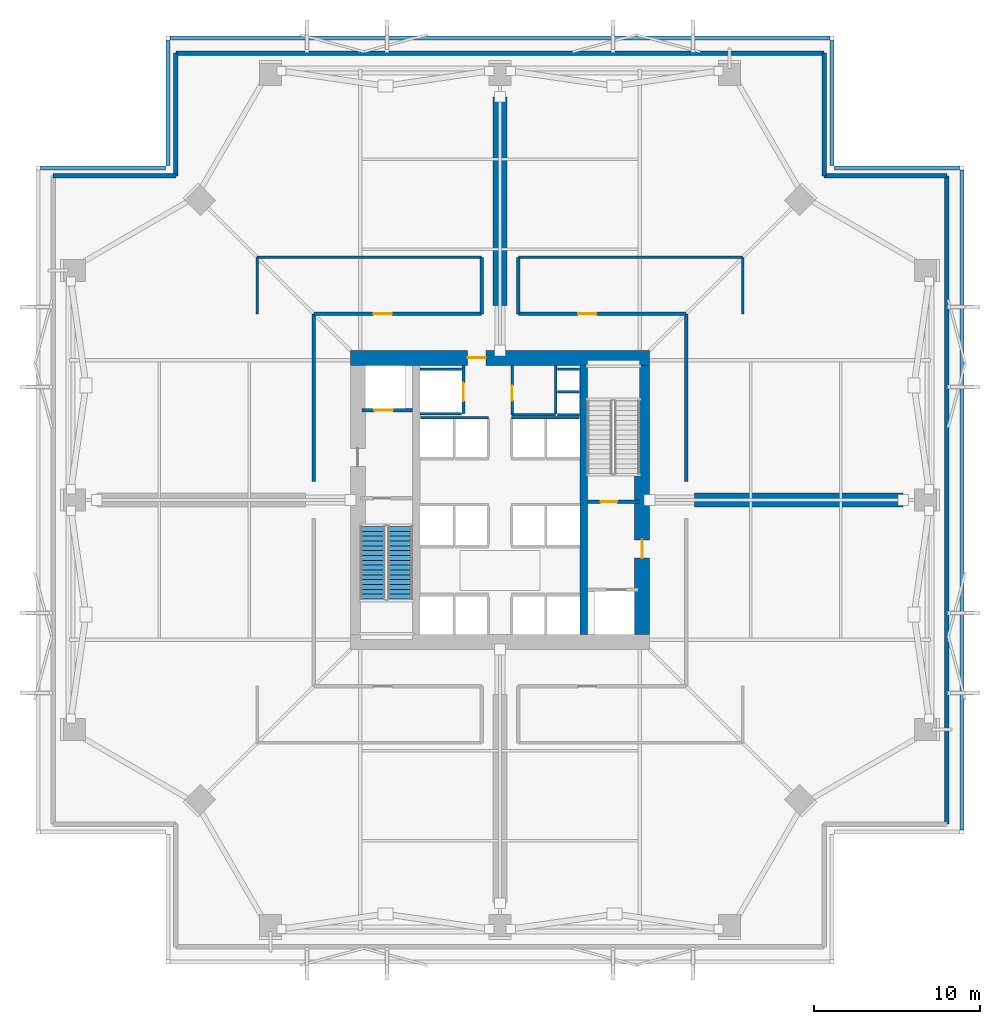
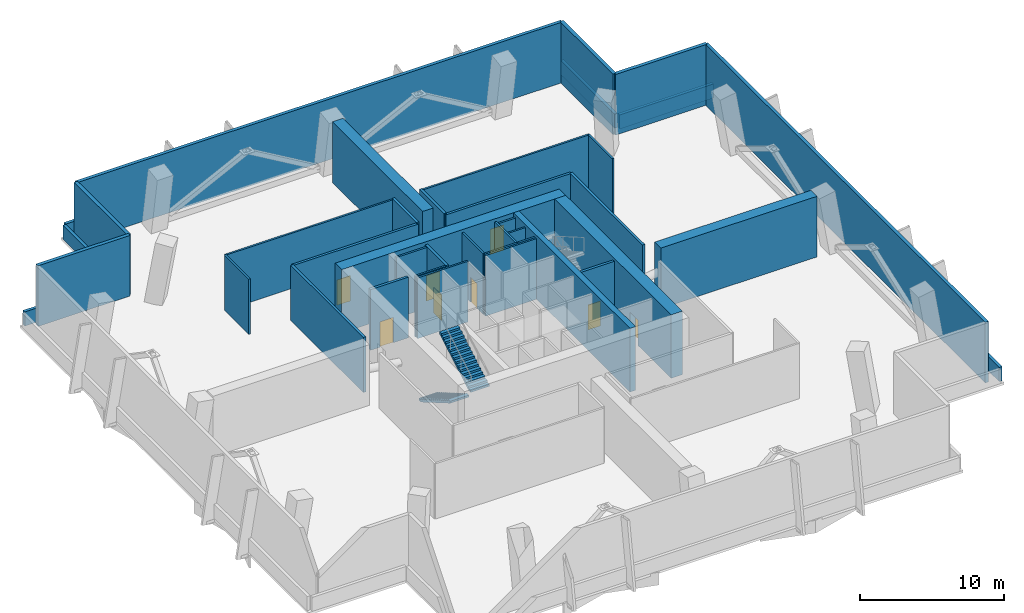
# One storey, part 4 of 6: 40 walls, 8 doors, 2 stair flights, 8 openings, 1 element without a shape of its own.
"""IFC4 building model written with IfcOpenShell, lengths in metres."""

import ifcopenshell
import ifcopenshell.guid

model = None  # the IFC model being written
_history = None  # IfcOwnerHistory: only IFC2X3 demands one
_inside = {}  # id of a spatial element -> (the spatial element, [elements in it])
_under = {}  # id of a project, library or spatial element -> (it, [spatial elements below it])
_declared = {}  # id of a project -> (the project, [libraries it declares])
_typed = {}  # id of a type object -> (the type object, [elements of that type])
_made_of = {}  # id of a material, layer set ... -> (it, [elements and type objects made of it])


def new_model(schema):
    """Start an empty IFC model of exactly this schema.

    Asked for "IFC4X3", IfcOpenShell would pick the latest addendum, in which some entities
    have other attributes; the version numbers below select the first issue.
    IFC2X3 requires an IfcOwnerHistory on every rooted entity: one is made here for all.
    """
    global model, _history
    if schema == "IFC4X3":
        model = ifcopenshell.file(schema_version=(4, 3, 0, 0))
    else:
        model = ifcopenshell.file(schema=schema)
    _inside.clear()
    _under.clear()
    _declared.clear()
    _typed.clear()
    _made_of.clear()
    _history = None
    if model.schema == "IFC2X3":
        org = make("IfcOrganization", Name="unknown")
        user = make(
            "IfcPersonAndOrganization",
            ThePerson=make("IfcPerson", FamilyName="unknown"),
            TheOrganization=org,
        )
        app = make(
            "IfcApplication",
            ApplicationDeveloper=org,
            Version="unknown",
            ApplicationFullName="unknown",
            ApplicationIdentifier="unknown",
        )
        _history = make(
            "IfcOwnerHistory",
            OwningUser=user,
            OwningApplication=app,
            ChangeAction="ADDED",
            CreationDate=0,
        )
    return model


def make(cls, **values):
    """One entity of the class cls with the attributes given. An attribute that is None is left unset."""
    return model.create_entity(
        cls, **{name: value for name, value in values.items() if value is not None}
    )


def rooted(cls, **values):
    """An entity with a GlobalId (a new one), such as an element, a storey or a relation."""
    return make(cls, GlobalId=ifcopenshell.guid.new(), OwnerHistory=_history, **values)


def si_unit(unit_type, name, prefix=None):
    """IfcSIUnit, for example si_unit("LENGTHUNIT", "METRE", prefix="MILLI")."""
    return make("IfcSIUnit", UnitType=unit_type, Prefix=prefix, Name=name)


def assignment(units):
    """IfcUnitAssignment: the units of a project."""
    return None if units is None else make("IfcUnitAssignment", Units=units)


def point(xyz):
    """IfcCartesianPoint."""
    return None if xyz is None else make("IfcCartesianPoint", Coordinates=xyz)


def direction(xyz):
    """IfcDirection."""
    return None if xyz is None else make("IfcDirection", DirectionRatios=xyz)


def frame(location, z_axis=None, x_axis=None):
    """IfcAxis2Placement3D, a coordinate frame: its origin and axes. An axis left out is left unset."""
    return make(
        "IfcAxis2Placement3D",
        Location=point(location),
        Axis=direction(z_axis),
        RefDirection=direction(x_axis),
    )


def frame_2d(location, x_axis=None):
    """IfcAxis2Placement2D, a coordinate frame in the plane: its origin and x axis."""
    return make(
        "IfcAxis2Placement2D", Location=point(location), RefDirection=direction(x_axis)
    )


def origin():
    """The frame at (0, 0, 0) with its axes left unset."""
    return frame((0.0, 0.0, 0.0))


def place(relative_to, where):
    """IfcLocalPlacement: puts the frame where relative to a parent placement (None: the world)."""
    return make(
        "IfcLocalPlacement", PlacementRelTo=relative_to, RelativePlacement=where
    )


def context(
    kind, dimensions, precision=None, world=None, true_north=None, identifier=None
):
    """IfcGeometricRepresentationContext, for example the 3D "Model" context."""
    return make(
        "IfcGeometricRepresentationContext",
        ContextIdentifier=identifier,
        ContextType=kind,
        CoordinateSpaceDimension=dimensions,
        Precision=precision,
        WorldCoordinateSystem=world,
        TrueNorth=true_north,
    )


def subcontext(parent, identifier, kind, view, scale=None):
    """IfcGeometricRepresentationSubContext, for example "Body" below "Model"."""
    return make(
        "IfcGeometricRepresentationSubContext",
        ContextIdentifier=identifier,
        ContextType=kind,
        ParentContext=parent,
        TargetScale=scale,
        TargetView=view,
    )


def project(units=None, contexts=None):
    """IfcProject with its units and contexts."""
    return rooted(
        "IfcProject",
        Name="project",
        RepresentationContexts=contexts,
        UnitsInContext=assignment(units),
    )


def spatial(cls, under=None, at=None, **own):
    """A site, building, storey or space (cls), placed at a placement, below another one or the project."""
    s = rooted(cls, ObjectPlacement=at, **own)
    if under is not None:
        _under.setdefault(under.id(), (under, []))[1].append(s)
    return s


def polyline(points):
    """IfcPolyline through the points."""
    return make("IfcPolyline", Points=[point(p) for p in points])


def profile(cls, at=None, kind="AREA", **sizes):
    """A parametric profile (cls). Its sizes go by their IFC names, for example OverallWidth=200.0."""
    return make(cls, ProfileType=kind, Position=at, **sizes)


def rectangle(**sizes):
    """IfcRectangleProfileDef."""
    return profile("IfcRectangleProfileDef", **sizes)


def outline(outer, holes=None, kind="AREA"):
    """IfcArbitraryClosedProfileDef: a profile drawn as a closed curve; with holes, ...WithVoids."""
    if holes is None:
        return make("IfcArbitraryClosedProfileDef", ProfileType=kind, OuterCurve=outer)
    return make(
        "IfcArbitraryProfileDefWithVoids",
        ProfileType=kind,
        OuterCurve=outer,
        InnerCurves=holes,
    )


def extrude(swept, where, along, depth):
    """IfcExtrudedAreaSolid: the profile swept, set in the frame where, extruded along a direction by depth."""
    return make(
        "IfcExtrudedAreaSolid",
        SweptArea=swept,
        Position=where,
        ExtrudedDirection=direction(along),
        Depth=depth,
    )


def shape(context_of_items, identifier, shape_type, items):
    """IfcShapeRepresentation: the items that make up one representation, for example the "Body"."""
    return make(
        "IfcShapeRepresentation",
        ContextOfItems=context_of_items,
        RepresentationIdentifier=identifier,
        RepresentationType=shape_type,
        Items=items,
    )


def material(Name=None, Category=None):
    """IfcMaterial."""
    return make("IfcMaterial", Name=Name, Category=Category)


def layer(
    of_material, thickness, ventilated=None, Name=None, Category=None, Priority=None
):
    """IfcMaterialLayer: one layer of a wall or slab, of a material (None: an air gap)."""
    return make(
        "IfcMaterialLayer",
        Material=of_material,
        LayerThickness=thickness,
        IsVentilated=ventilated,
        Name=Name,
        Category=Category,
        Priority=Priority,
    )


def layer_set(layers, Name=None):
    """IfcMaterialLayerSet."""
    return make("IfcMaterialLayerSet", MaterialLayers=layers, LayerSetName=Name)


def made_of(thing, what):
    """Note that an element or type object is made of a material, layer set ...; save() writes the relation."""
    if what is not None:
        _made_of.setdefault(what.id(), (what, []))[1].append(thing)
    return thing


def type_object(cls, material=None, **own):
    """A type object (cls), such as IfcWallType, which elements share."""
    return made_of(rooted(cls, **own), material)


def element(
    cls,
    number,
    at=None,
    inside=None,
    cuts=None,
    type_object=None,
    material=None,
    context=None,
    identifier="Body",
    shape_type=None,
    held_by="IfcProductDefinitionShape",
    body=None,
    shapes=None,
    **own,
):
    """One element of the class cls, such as IfcWall. Its Tag is "e" and its number.

    at: its placement. inside: the storey or other place that contains it. cuts: it is an
    opening in that element (IfcRelVoidsElement). A single representation is given by context,
    identifier, shape_type and body (its items); several are given by shapes. held_by: the class
    of the entity that holds the representations. save() writes the other relations.
    """
    e = rooted(cls, Tag="e%d" % number, ObjectPlacement=at, **own)
    if body is not None:
        shapes = [shape(context, identifier, shape_type, body)]
    if shapes is not None:
        e.Representation = make(held_by, Representations=shapes)
    if inside is not None:
        _inside.setdefault(inside.id(), (inside, []))[1].append(e)
    if cuts is not None:
        rooted(
            "IfcRelVoidsElement", RelatingBuildingElement=cuts, RelatedOpeningElement=e
        )
    if type_object is not None:
        _typed.setdefault(type_object.id(), (type_object, []))[1].append(e)
    return made_of(e, material)


def fill(opening, filler):
    """IfcRelFillsElement: the door or window that sits in an opening."""
    return rooted(
        "IfcRelFillsElement",
        RelatingOpeningElement=opening,
        RelatedBuildingElement=filler,
    )


def aggregate(whole, parts):
    """IfcRelAggregates: a whole, such as a stair, and the parts it consists of."""
    return rooted("IfcRelAggregates", RelatingObject=whole, RelatedObjects=parts)


def save(model, path):
    """Write the relations noted so far, then the file.

    IfcRelAggregates (storeys below a building ...), IfcRelContainedInSpatialStructure (elements
    in a storey), IfcRelDefinesByType, IfcRelAssociatesMaterial and IfcRelDeclares: one each for
    every whole, place, type object, material and project.
    """
    for whole, parts in _under.values():
        aggregate(whole, parts)
    for where, things in _inside.values():
        rooted(
            "IfcRelContainedInSpatialStructure",
            RelatedElements=things,
            RelatingStructure=where,
        )
    for kind, things in _typed.values():
        rooted("IfcRelDefinesByType", RelatedObjects=things, RelatingType=kind)
    for what, things in _made_of.values():
        rooted("IfcRelAssociatesMaterial", RelatedObjects=things, RelatingMaterial=what)
    for by, libraries in _declared.values():
        rooted("IfcRelDeclares", RelatingContext=by, RelatedDefinitions=libraries)
    model.write(path)


model = new_model("IFC4")

# Units and contexts
model_context = context("Model", 3, precision=1e-05, world=origin(), true_north=direction((0.0, 1.0)))
body_context = subcontext(model_context, "Body", "Model", "MODEL_VIEW")
ifc_project = project(units=[si_unit("LENGTHUNIT", "METRE"), si_unit("AREAUNIT", "SQUARE_METRE"), si_unit("VOLUMEUNIT", "CUBIC_METRE"), si_unit("PLANEANGLEUNIT", "RADIAN"), si_unit("MASSUNIT", "GRAM", prefix="KILO")], contexts=[model_context])

# Site, building, storey
site_placement = place(None, origin())
site = spatial("IfcSite", under=ifc_project, at=site_placement, CompositionType="ELEMENT")
building_placement = place(site_placement, origin())
building = spatial("IfcBuilding", under=site, at=building_placement, Name="Belovzor Exchange Tower", CompositionType="ELEMENT")
storey_placement = place(building_placement, frame((0.0, 0.0, 108.0)))
storey = spatial("IfcBuildingStorey", under=building, at=storey_placement, Name="L26", CompositionType="ELEMENT", Elevation=108.0)

# Wall, opening, door
ifc_material_1 = material(Name="Fire-Rated Gypsum Block and Mineral Wool", Category="gypsum")
ifc_layer_1 = layer(ifc_material_1, 0.14990234375)
ifc_layer_set_1 = layer_set([ifc_layer_1], Name="Fire-Rated Gypsum Block and Mineral Wool")
wall_type_1 = type_object("IfcWallType", Name="Fire-Rated Gypsum Block Corridor Wall 150", PredefinedType="PARTITIONING", material=ifc_layer_set_1)
wall_1_placement = place(storey_placement, frame((29.52490234375, 33.925048828125, 0.0), z_axis=(0.0, 0.0, 1.0), x_axis=(0.0, 1.0, 0.0)))
wall_1 = element("IfcWall", 1, at=wall_1_placement, inside=storey, type_object=wall_type_1, Name="W-P150 Partition Wall W-CRV-L26-W", PredefinedType="PARTITIONING", context=body_context, shape_type="SweptSolid", body=[
    extrude(rectangle(XDim=2.974853515625, YDim=0.14990234375, at=frame_2d((1.4873046875, 0.0))), origin(), (0.0, 0.0, 1.0), 5.14990234375),
])
opening_1_placement = place(wall_1_placement, frame((0.85009765625, 0.0, 0.0)))
opening_1 = element("IfcOpeningElement", 2, at=opening_1_placement, cuts=wall_1, Name="Opening D-FD60-090", PredefinedType="OPENING", context=body_context, shape_type="SweptSolid", body=[
    extrude(rectangle(XDim=0.89990234375, YDim=2.10009765625, at=frame_2d((0.449951171875, 1.050048828125))), frame((0.0, 0.0849609375, 0.0), z_axis=(0.0, -1.0, 0.0), x_axis=(1.0, 0.0, 0.0)), (0.0, 0.0, 1.0), 0.169921875),
])
ifc_material_2 = material(Name="Acoustic Timber Fire Leaf", Category="wood")
door_type_1 = type_object("IfcDoorType", Name="Core Service & Restroom Fire Door 900x2100", OperationType="NOTDEFINED", PredefinedType="DOOR", material=ifc_material_2)
door_1_placement = place(opening_1_placement, origin())
door_1 = element("IfcDoor", 3, at=door_1_placement, inside=storey, type_object=door_type_1, Name="D-FD60-090 Core Service & Restroom Fire Door 900x2100", OperationType="SINGLE_SWING_LEFT", OverallHeight=2.10009765625, OverallWidth=0.89990234375, PredefinedType="DOOR", context=body_context, shape_type="SweptSolid", body=[
    extrude(rectangle(XDim=0.89990234375, YDim=2.10009765625, at=frame_2d((0.449951171875, 1.050048828125))), frame((0.0, 0.02490234375, 0.0), z_axis=(0.0, -1.0, 0.0), x_axis=(1.0, 0.0, 0.0)), (0.0, 0.0, 1.0), 0.050048828125),
])
fill(opening_1, door_1)

# Walls
wall_2_placement = place(storey_placement, frame((29.52490234375, 33.925048828125, 0.0), z_axis=(0.0, 0.0, 1.0), x_axis=(1.0, 0.0, 0.0)))
element("IfcWall", 4, at=wall_2_placement, inside=storey, type_object=wall_type_1, Name="W-P150 Partition Wall W-CRV-L26-S", PredefinedType="PARTITIONING", context=body_context, shape_type="SweptSolid", body=[
    extrude(rectangle(XDim=2.625, YDim=0.14990234375, at=frame_2d((1.3125, 0.0))), origin(), (0.0, 0.0, 1.0), 5.14990234375),
])
wall_3_placement = place(storey_placement, frame((14.199951171875, 40.0, 0.0), z_axis=(0.0, 0.0, 1.0), x_axis=(0.0, 1.0, 0.0)))
element("IfcWall", 5, at=wall_3_placement, inside=storey, type_object=wall_type_1, Name="W-P150 Partition Wall W-L26-Q3W", PredefinedType="PARTITIONING", context=body_context, shape_type="SweptSolid", body=[
    extrude(rectangle(XDim=3.39990234375, YDim=0.14990234375, at=frame_2d((1.699951171875, 0.0))), origin(), (0.0, 0.0, 1.0), 4.68505859375),
])
for number, where, z_axis, x_axis, name in (
    (6, (14.199951171875, 43.39990234375, 0.0), (0.0, 0.0, 1.0), (1.0, 0.0, 0.0), "W-P150 Partition Wall W-L26-Q3N"),
    (7, (29.89990234375, 43.39990234375, 0.0), (0.0, 0.0, 1.0), (1.0, 0.0, 0.0), "W-P150 Partition Wall W-L26-Q4N"),
):
    element("IfcWall", number, at=place(storey_placement, frame(where, z_axis=z_axis, x_axis=x_axis)), inside=storey, type_object=wall_type_1, Name=name, PredefinedType="PARTITIONING", context=body_context, shape_type="SweptSolid", body=[
        extrude(rectangle(XDim=13.5, YDim=0.14990234375, at=frame_2d((6.75, 0.0))), origin(), (0.0, 0.0, 1.0), 4.68505859375),
    ])
wall_4_placement = place(storey_placement, frame((43.39990234375, 40.0, 0.0), z_axis=(0.0, 0.0, 1.0), x_axis=(0.0, 1.0, 0.0)))
element("IfcWall", 8, at=wall_4_placement, inside=storey, type_object=wall_type_1, Name="W-P150 Partition Wall W-L26-Q4E", PredefinedType="PARTITIONING", context=body_context, shape_type="SweptSolid", body=[
    extrude(rectangle(XDim=3.39990234375, YDim=0.14990234375, at=frame_2d((1.699951171875, 0.0))), origin(), (0.0, 0.0, 1.0), 4.68505859375),
])
ifc_material_3 = material(Name="Precast concrete C40/50", Category="concrete")
ifc_layer_2 = layer(ifc_material_3, 0.280029296875)
ifc_layer_set_2 = layer_set([ifc_layer_2], Name="Precast concrete C40/50")
wall_type_2 = type_object("IfcWallType", Name="Precast Concrete Notched Corner Frame Wall 280", PredefinedType="SOLIDWALL", material=ifc_layer_set_2)
wall_5_placement = place(storey_placement, frame((1.929931640625, 48.300048828125, 0.0), z_axis=(0.0, 0.0, 1.0), x_axis=(1.0, 0.0, 0.0)))
element("IfcWall", 9, at=wall_5_placement, inside=storey, type_object=wall_type_2, Name="W-CRN280 Precast Concrete Notched Corner Frame Wall 280 L26", PredefinedType="SOLIDWALL", context=body_context, shape_type="SweptSolid", body=[
    extrude(rectangle(XDim=7.3701171875, YDim=0.280029296875, at=frame_2d((3.68505859375, 0.0))), origin(), (0.0, 0.0, 1.0), 5.14990234375),
])
for number, where, z_axis, x_axis, name in (
    (10, (9.300048828125, 48.300048828125, 0.0), (0.0, 0.0, 1.0), (0.0, 1.0, 0.0), "W-CRN280 Precast Concrete Notched Corner Frame Wall 280 L26"),
    (11, (48.300048828125, 55.669921875, 0.0), (0.0, 0.0, 1.0), (0.0, -1.0, 0.0), "W-CRN280 Precast Concrete Notched Corner Frame Wall 280 L26"),
    (12, (48.300048828125, 48.300048828125, 0.0), (0.0, 0.0, 1.0), (1.0, 0.0, 0.0), "W-CRN280 Precast Concrete Notched Corner Frame Wall 280 L26"),
):
    element("IfcWall", number, at=place(storey_placement, frame(where, z_axis=z_axis, x_axis=x_axis)), inside=storey, type_object=wall_type_2, Name=name, PredefinedType="SOLIDWALL", context=body_context, shape_type="SweptSolid", body=[
        extrude(rectangle(XDim=7.369873046875, YDim=0.280029296875, at=frame_2d((3.68505859375, 0.0))), origin(), (0.0, 0.0, 1.0), 5.14990234375),
    ])
ifc_material_4 = material(Name="Precast concrete C40/50", Category="concrete")
ifc_layer_3 = layer(ifc_material_4, 0.260009765625)
ifc_layer_set_3 = layer_set([ifc_layer_3], Name="Precast concrete C40/50")
wall_type_3 = type_object("IfcWallType", Name="Precast Concrete Perimeter Loggia Frame Wall 260", PredefinedType="SOLIDWALL", material=ifc_layer_set_3)
for number, where, z_axis, x_axis, name in (
    (13, (9.300048828125, 55.669921875, 0.0), (0.0, 0.0, 1.0), (1.0, 0.0, 0.0), "W-EXT260 Precast Concrete Perimeter Loggia Frame Wall 260 L26"),
    (14, (55.669921875, 48.300048828125, 0.0), (0.0, 0.0, 1.0), (0.0, -1.0, 0.0), "W-EXT260 Precast Concrete Perimeter Loggia Frame Wall 260 L26"),
):
    element("IfcWall", number, at=place(storey_placement, frame(where, z_axis=z_axis, x_axis=x_axis)), inside=storey, type_object=wall_type_3, Name=name, PredefinedType="SOLIDWALL", context=body_context, shape_type="SweptSolid", body=[
        extrude(rectangle(XDim=39.0, YDim=0.260009765625, at=frame_2d((19.5, 0.0))), origin(), (0.0, 0.0, 1.0), 5.14990234375),
    ])
ifc_material_5 = material(Name="Precast concrete C40/50", Category="concrete")
ifc_layer_4 = layer(ifc_material_5, 0.239990234375)
ifc_layer_set_4 = layer_set([ifc_layer_4], Name="Precast concrete C40/50")
wall_type_4 = type_object("IfcWallType", Name="Precast Stone Setback Roof Parapet Wall 240", PredefinedType="PARAPET", material=ifc_layer_set_4)
wall_6_placement = place(storey_placement, frame((56.580078125, 8.955078125, 0.0), z_axis=(0.0, 0.0, 1.0), x_axis=(0.0, 1.0, 0.0)))
element("IfcWall", 15, at=wall_6_placement, inside=storey, type_object=wall_type_4, Name="W-PAR240 Precast Stone Setback Roof Parapet Wall 240 L26", PredefinedType="PARAPET", context=body_context, shape_type="SweptSolid", body=[
    extrude(rectangle(XDim=39.68994140625, YDim=0.239990234375, at=frame_2d((19.844970703125, 0.0))), origin(), (0.0, 0.0, 1.0), 1.199951171875),
])
for number, where, z_axis, x_axis, name in (
    (16, (56.445068359375, 48.780029296875, 0.0), (0.0, 0.0, 1.0), (-1.0, 0.0, 0.0), "W-PAR240 Precast Stone Setback Roof Parapet Wall 240 L26"),
    (17, (48.780029296875, 48.9150390625, 0.0), (0.0, 0.0, 1.0), (0.0, 1.0, 0.0), "W-PAR240 Precast Stone Setback Roof Parapet Wall 240 L26"),
):
    element("IfcWall", number, at=place(storey_placement, frame(where, z_axis=z_axis, x_axis=x_axis)), inside=storey, type_object=wall_type_4, Name=name, PredefinedType="PARAPET", context=body_context, shape_type="SweptSolid", body=[
        extrude(rectangle(XDim=7.530029296875, YDim=0.239990234375, at=frame_2d((3.76513671875, 0.0))), origin(), (0.0, 0.0, 1.0), 1.199951171875),
    ])
wall_7_placement = place(storey_placement, frame((48.64501953125, 56.580078125, 0.0), z_axis=(0.0, 0.0, 1.0), x_axis=(-1.0, 0.0, 0.0)))
element("IfcWall", 18, at=wall_7_placement, inside=storey, type_object=wall_type_4, Name="W-PAR240 Precast Stone Setback Roof Parapet Wall 240 L26", PredefinedType="PARAPET", context=body_context, shape_type="SweptSolid", body=[
    extrude(rectangle(XDim=39.68994140625, YDim=0.239990234375, at=frame_2d((19.844970703125, 0.0))), origin(), (0.0, 0.0, 1.0), 1.199951171875),
])
for number, where, z_axis, x_axis, name in (
    (19, (8.820068359375, 56.445068359375, 0.0), (0.0, 0.0, 1.0), (0.0, -1.0, 0.0), "W-PAR240 Precast Stone Setback Roof Parapet Wall 240 L26"),
    (20, (8.68505859375, 48.780029296875, 0.0), (0.0, 0.0, 1.0), (-1.0, 0.0, 0.0), "W-PAR240 Precast Stone Setback Roof Parapet Wall 240 L26"),
):
    element("IfcWall", number, at=place(storey_placement, frame(where, z_axis=z_axis, x_axis=x_axis)), inside=storey, type_object=wall_type_4, Name=name, PredefinedType="PARAPET", context=body_context, shape_type="SweptSolid", body=[
        extrude(rectangle(XDim=7.530029296875, YDim=0.239990234375, at=frame_2d((3.76513671875, 0.0))), origin(), (0.0, 0.0, 1.0), 1.199951171875),
    ])

# Wall, opening, door
ifc_material_6 = material(Name="Concrete C40/50", Category="concrete")
ifc_layer_5 = layer(ifc_material_6, 0.199951171875)
ifc_layer_set_5 = layer_set([ifc_layer_5], Name="Concrete C40/50")
wall_type_5 = type_object("IfcWallType", Name="Reinforced Concrete Compartment Wall 200", PredefinedType="PARTITIONING", material=ifc_layer_set_5)
wall_8_placement = place(storey_placement, frame((17.60009765625, 40.0, 0.0), z_axis=(0.0, 0.0, 1.0), x_axis=(1.0, 0.0, 0.0)))
wall_8 = element("IfcWall", 21, at=wall_8_placement, inside=storey, type_object=wall_type_5, Name="W-C200 Partition Wall W-L26-PCN", PredefinedType="PARTITIONING", context=body_context, shape_type="SweptSolid", body=[
    extrude(rectangle(XDim=10.099853515625, YDim=0.199951171875, at=frame_2d((5.0498046875, 0.0))), origin(), (0.0, 0.0, 1.0), 4.68505859375),
])
opening_2_placement = place(wall_8_placement, frame((3.60009765625, 0.0, 0.0)))
opening_2 = element("IfcOpeningElement", 22, at=opening_2_placement, cuts=wall_8, Name="Opening D-FD90-110", PredefinedType="OPENING", context=body_context, shape_type="SweptSolid", body=[
    extrude(rectangle(XDim=1.10009765625, YDim=2.14990234375, at=frame_2d((0.550048828125, 1.074951171875))), frame((0.0, 0.10986328125, 0.0), z_axis=(0.0, -1.0, 0.0), x_axis=(1.0, 0.0, 0.0)), (0.0, 0.0, 1.0), 0.219970703125),
])
ifc_material_7 = material(Name="Fire-Rated Galvanised Steel Leaf", Category="steel")
door_type_2 = type_object("IfcDoorType", Name="Protected Escape Vestibule Fire Door 1100x2150", OperationType="NOTDEFINED", PredefinedType="DOOR", material=ifc_material_7)
door_2_placement = place(opening_2_placement, origin())
door_2 = element("IfcDoor", 23, at=door_2_placement, inside=storey, type_object=door_type_2, Name="D-FD90-110 Protected Escape Vestibule Fire Door 1100x2150", OperationType="SINGLE_SWING_LEFT", OverallHeight=2.14990234375, OverallWidth=1.10009765625, PredefinedType="DOOR", context=body_context, shape_type="SweptSolid", body=[
    extrude(rectangle(XDim=1.10009765625, YDim=2.14990234375, at=frame_2d((0.550048828125, 1.074951171875))), frame((0.0, 0.02490234375, 0.0), z_axis=(0.0, -1.0, 0.0), x_axis=(1.0, 0.0, 0.0)), (0.0, 0.0, 1.0), 0.050048828125),
])
fill(opening_2, door_2)

wall_9_placement = place(storey_placement, frame((29.89990234375, 40.0, 0.0), z_axis=(0.0, 0.0, 1.0), x_axis=(1.0, 0.0, 0.0)))
wall_9 = element("IfcWall", 24, at=wall_9_placement, inside=storey, type_object=wall_type_5, Name="W-C200 Partition Wall W-L26-PCN2", PredefinedType="PARTITIONING", context=body_context, shape_type="SweptSolid", body=[
    extrude(rectangle(XDim=10.10009765625, YDim=0.199951171875, at=frame_2d((5.050048828125, 0.0))), origin(), (0.0, 0.0, 1.0), 4.68505859375),
])
opening_3_placement = place(wall_9_placement, frame((3.60009765625, 0.0, 0.0)))
opening_3 = element("IfcOpeningElement", 25, at=opening_3_placement, cuts=wall_9, Name="Opening D-FD90-110", PredefinedType="OPENING", context=body_context, shape_type="SweptSolid", body=[
    extrude(rectangle(XDim=1.10009765625, YDim=2.14990234375, at=frame_2d((0.550048828125, 1.074951171875))), frame((0.0, 0.10986328125, 0.0), z_axis=(0.0, -1.0, 0.0), x_axis=(1.0, 0.0, 0.0)), (0.0, 0.0, 1.0), 0.219970703125),
])
door_3_placement = place(opening_3_placement, origin())
door_3 = element("IfcDoor", 26, at=door_3_placement, inside=storey, type_object=door_type_2, Name="D-FD90-110 Protected Escape Vestibule Fire Door 1100x2150", OperationType="SINGLE_SWING_RIGHT", OverallHeight=2.14990234375, OverallWidth=1.10009765625, PredefinedType="DOOR", context=body_context, shape_type="SweptSolid", body=[
    extrude(rectangle(XDim=1.10009765625, YDim=2.14990234375, at=frame_2d((0.550048828125, 1.074951171875))), frame((0.0, 0.02490234375, 0.0), z_axis=(0.0, -1.0, 0.0), x_axis=(1.0, 0.0, 0.0)), (0.0, 0.0, 1.0), 0.050048828125),
])
fill(opening_3, door_3)

# Walls
for number, where, z_axis, x_axis, name in (
    (27, (17.60009765625, 29.89990234375, 0.0), (0.0, 0.0, 1.0), (0.0, 1.0, 0.0), "W-C200 Partition Wall W-L26-PCW2"),
    (28, (40.0, 29.89990234375, 0.0), (0.0, 0.0, 1.0), (0.0, 1.0, 0.0), "W-C200 Partition Wall W-L26-PCE2"),
):
    element("IfcWall", number, at=place(storey_placement, frame(where, z_axis=z_axis, x_axis=x_axis)), inside=storey, type_object=wall_type_5, Name=name, PredefinedType="PARTITIONING", context=body_context, shape_type="SweptSolid", body=[
        extrude(rectangle(XDim=10.10009765625, YDim=0.199951171875, at=frame_2d((5.050048828125, 0.0))), origin(), (0.0, 0.0, 1.0), 4.68505859375),
    ])
for number, where, z_axis, x_axis, name in (
    (29, (27.699951171875, 40.0, 0.0), (0.0, 0.0, 1.0), (0.0, 1.0, 0.0), "W-C200 Partition Wall W-L26-Q3E"),
    (30, (29.89990234375, 40.0, 0.0), (0.0, 0.0, 1.0), (0.0, 1.0, 0.0), "W-C200 Partition Wall W-L26-Q4W"),
):
    element("IfcWall", number, at=place(storey_placement, frame(where, z_axis=z_axis, x_axis=x_axis)), inside=storey, type_object=wall_type_5, Name=name, PredefinedType="PARTITIONING", context=body_context, shape_type="SweptSolid", body=[
        extrude(rectangle(XDim=3.39990234375, YDim=0.199951171875, at=frame_2d((1.699951171875, 0.0))), origin(), (0.0, 0.0, 1.0), 4.77490234375),
    ])
ifc_material_8 = material(Name="Concrete C50/60", Category="concrete")
ifc_layer_6 = layer(ifc_material_8, 0.449951171875)
ifc_layer_set_6 = layer_set([ifc_layer_6], Name="Concrete C50/60")
wall_type_6 = type_object("IfcWallType", Name="Reinforced Concrete Core Internal Web Wall 450", PredefinedType="SHEAR", material=ifc_layer_set_6)
wall_10_placement = place(storey_placement, frame((33.824951171875, 20.699951171875, 0.0), z_axis=(0.0, 0.0, 1.0), x_axis=(0.0, 1.0, 0.0)))
element("IfcWall", 31, at=wall_10_placement, inside=storey, type_object=wall_type_6, Name="CW-W045 Core Internal Web Wall L26 ER", PredefinedType="SHEAR", context=body_context, shape_type="SweptSolid", body=[
    extrude(rectangle(XDim=16.199951171875, YDim=0.449951171875, at=frame_2d((8.10009765625, 0.0))), origin(), (0.0, 0.0, 1.0), 5.39990234375),
])
ifc_material_9 = material(Name="Concrete C50/60", Category="concrete")
ifc_layer_7 = layer(ifc_material_9, 0.14990234375)
ifc_layer_set_7 = layer_set([ifc_layer_7], Name="Concrete C50/60")
wall_type_7 = type_object("IfcWallType", Name="Reinforced Concrete Core Riser Shear Wall 150", PredefinedType="SHEAR", material=ifc_layer_set_7)
wall_11_placement = place(storey_placement, frame((32.14990234375, 34.0, 0.0), z_axis=(0.0, 0.0, 1.0), x_axis=(0.0, 1.0, 0.0)))
element("IfcWall", 32, at=wall_11_placement, inside=storey, type_object=wall_type_7, Name="W-C150S Core Shaft Wall W-RSR-L26-E", PredefinedType="SHEAR", context=body_context, shape_type="SweptSolid", body=[
    extrude(rectangle(XDim=2.89990234375, YDim=0.14990234375, at=frame_2d((1.449951171875, 0.0))), origin(), (0.0, 0.0, 1.0), 5.14990234375),
])
for number, where, z_axis, x_axis, name in (
    (33, (32.25, 33.925048828125, 0.0), (0.0, 0.0, 1.0), (1.0, 0.0, 0.0), "W-C150S Core Shaft Wall W-RSR-L26-S"),
    (34, (32.25, 35.300048828125, 0.0), (0.0, 0.0, 1.0), (1.0, 0.0, 0.0), "W-C150S Core Shaft Wall W-RSR-L26-M"),
):
    element("IfcWall", number, at=place(storey_placement, frame(where, z_axis=z_axis, x_axis=x_axis)), inside=storey, type_object=wall_type_7, Name=name, PredefinedType="SHEAR", context=body_context, shape_type="SweptSolid", body=[
        extrude(rectangle(XDim=1.330078125, YDim=0.14990234375, at=frame_2d((0.6650390625, 0.0))), origin(), (0.0, 0.0, 1.0), 5.14990234375),
    ])
for number, where, z_axis, x_axis, name in (
    (35, (24.0, 34.0, 0.0), (0.0, 0.0, 1.0), (1.0, 0.0, 0.0), "W-C150S Core Shaft Wall W-SH-L26-SL-01S"),
    (36, (24.0, 36.64990234375, 0.0), (0.0, 0.0, 1.0), (1.0, 0.0, 0.0), "W-C150S Core Shaft Wall W-SH-L26-SL-01N"),
):
    element("IfcWall", number, at=place(storey_placement, frame(where, z_axis=z_axis, x_axis=x_axis)), inside=storey, type_object=wall_type_7, Name=name, PredefinedType="SHEAR", context=body_context, shape_type="SweptSolid", body=[
        extrude(rectangle(XDim=2.47998046875, YDim=0.14990234375, at=frame_2d((1.239990234375, 0.0))), origin(), (0.0, 0.0, 1.0), 5.14990234375),
    ])
wall_12_placement = place(storey_placement, frame((32.25, 36.64990234375, 0.0), z_axis=(0.0, 0.0, 1.0), x_axis=(1.0, 0.0, 0.0)))
element("IfcWall", 37, at=wall_12_placement, inside=storey, type_object=wall_type_7, Name="W-C150S Core Shaft Wall W-RSR-L26-N", PredefinedType="SHEAR", context=body_context, shape_type="SweptSolid", body=[
    extrude(rectangle(XDim=1.330078125, YDim=0.14990234375, at=frame_2d((0.6650390625, 0.0))), origin(), (0.0, 0.0, 1.0), 5.14990234375),
])
for number, where, z_axis, x_axis, name in (
    (38, (24.02001953125, 33.760009765625, 0.0), (0.0, 0.0, 1.0), (1.0, 0.0, 0.0), "W-C150S Core Shaft Wall W-SHB-L26-PLH-NW"),
    (39, (29.5, 33.760009765625, 0.0), (0.0, 0.0, 1.0), (1.0, 0.0, 0.0), "W-C150S Core Shaft Wall W-SHB-L26-PLH-NE"),
):
    element("IfcWall", number, at=place(storey_placement, frame(where, z_axis=z_axis, x_axis=x_axis)), inside=storey, type_object=wall_type_7, Name=name, PredefinedType="SHEAR", context=body_context, shape_type="SweptSolid", body=[
        extrude(rectangle(XDim=4.080078125, YDim=0.14990234375, at=frame_2d((2.0400390625, 0.0))), origin(), (0.0, 0.0, 1.0), 5.14990234375),
    ])

# Wall, opening, door
ifc_material_10 = material(Name="Concrete C50/60", Category="concrete")
ifc_layer_8 = layer(ifc_material_10, 0.199951171875)
ifc_layer_set_8 = layer_set([ifc_layer_8], Name="Concrete C50/60")
wall_type_8 = type_object("IfcWallType", Name="Reinforced Concrete Core Shaft Shear Wall 200", PredefinedType="SHEAR", material=ifc_layer_set_8)
wall_13_placement = place(storey_placement, frame((34.050048828125, 28.699951171875, 0.0), z_axis=(0.0, 0.0, 1.0), x_axis=(1.0, 0.0, 0.0)))
wall_13 = element("IfcWall", 40, at=wall_13_placement, inside=storey, type_object=wall_type_8, Name="W-C200S Core Shaft Wall W-CORE-L26-FFLE2", PredefinedType="SHEAR", context=body_context, shape_type="SweptSolid", body=[
    extrude(rectangle(XDim=3.14990234375, YDim=0.199951171875, at=frame_2d((1.574951171875, 0.0))), origin(), (0.0, 0.0, 1.0), 5.14990234375),
])
opening_4_placement = place(wall_13_placement, frame((0.800048828125, 0.0, 0.0)))
opening_4 = element("IfcOpeningElement", 41, at=opening_4_placement, cuts=wall_13, Name="Opening D-FD90-100", PredefinedType="OPENING", context=body_context, shape_type="SweptSolid", body=[
    extrude(rectangle(XDim=1.0, YDim=2.10009765625, at=frame_2d((0.5, 1.050048828125))), frame((0.0, 0.10986328125, 0.0), z_axis=(0.0, -1.0, 0.0), x_axis=(1.0, 0.0, 0.0)), (0.0, 0.0, 1.0), 0.219970703125),
])
ifc_material_11 = material(Name="Fire-Rated Galvanised Steel Leaf", Category="steel")
door_type_3 = type_object("IfcDoorType", Name="Protected Stairwell Single Fire Door 1000x2100", OperationType="NOTDEFINED", PredefinedType="DOOR", material=ifc_material_11)
door_4_placement = place(opening_4_placement, origin())
door_4 = element("IfcDoor", 42, at=door_4_placement, inside=storey, type_object=door_type_3, Name="D-FD90-100 Protected Stairwell Single Fire Door 1000x2100", OperationType="SINGLE_SWING_LEFT", OverallHeight=2.10009765625, OverallWidth=1.0, PredefinedType="DOOR", context=body_context, shape_type="SweptSolid", body=[
    extrude(rectangle(XDim=1.0, YDim=2.10009765625, at=frame_2d((0.5, 1.050048828125))), frame((0.0, 0.02490234375, 0.0), z_axis=(0.0, -1.0, 0.0), x_axis=(1.0, 0.0, 0.0)), (0.0, 0.0, 1.0), 0.050048828125),
])
fill(opening_4, door_4)

wall_14_placement = place(storey_placement, frame((20.5, 34.199951171875, 0.0), z_axis=(0.0, 0.0, 1.0), x_axis=(1.0, 0.0, 0.0)))
wall_14 = element("IfcWall", 43, at=wall_14_placement, inside=storey, type_object=wall_type_8, Name="W-C200S Core Shaft Wall W-SH-L26-FFL-01", PredefinedType="SHEAR", context=body_context, shape_type="SweptSolid", body=[
    extrude(rectangle(XDim=3.050048828125, YDim=0.199951171875, at=frame_2d((1.52490234375, 0.0))), origin(), (0.0, 0.0, 1.0), 5.14990234375),
])
opening_5_placement = place(wall_14_placement, frame((0.75, 0.0, 0.0)))
opening_5 = element("IfcOpeningElement", 44, at=opening_5_placement, cuts=wall_14, Name="Opening LD-110", PredefinedType="OPENING", context=body_context, shape_type="SweptSolid", body=[
    extrude(rectangle(XDim=1.10009765625, YDim=2.14990234375, at=frame_2d((0.550048828125, 1.074951171875))), frame((0.0, 0.10986328125, 0.0), z_axis=(0.0, -1.0, 0.0), x_axis=(1.0, 0.0, 0.0)), (0.0, 0.0, 1.0), 0.219970703125),
])
ifc_material_12 = material(Name="Stainless Steel Grade 304", Category="steel")
door_type_4 = type_object("IfcDoorType", Name="Automated Stainless Steel Lift Landing Door 1100x2150", OperationType="SLIDING_TO_RIGHT", PredefinedType="DOOR", material=ifc_material_12)
door_5_placement = place(opening_5_placement, origin())
door_5 = element("IfcDoor", 45, at=door_5_placement, inside=storey, type_object=door_type_4, Name="LD-110 Automated Stainless Steel Lift Landing Door 1100x2150", OperationType="SLIDING_TO_RIGHT", OverallHeight=2.14990234375, OverallWidth=1.10009765625, PredefinedType="DOOR", context=body_context, shape_type="SweptSolid", body=[
    extrude(rectangle(XDim=1.10009765625, YDim=2.14990234375, at=frame_2d((0.550048828125, 1.074951171875))), frame((0.0, 0.02490234375, 0.0), z_axis=(0.0, -1.0, 0.0), x_axis=(1.0, 0.0, 0.0)), (0.0, 0.0, 1.0), 0.050048828125),
])
fill(opening_5, door_5)

wall_15_placement = place(storey_placement, frame((26.60009765625, 34.0, 0.0), z_axis=(0.0, 0.0, 1.0), x_axis=(0.0, 1.0, 0.0)))
wall_15 = element("IfcWall", 46, at=wall_15_placement, inside=storey, type_object=wall_type_8, Name="W-C200S Core Shaft Wall W-SH-L26-SL-01", PredefinedType="SHEAR", context=body_context, shape_type="SweptSolid", body=[
    extrude(rectangle(XDim=2.89990234375, YDim=0.199951171875, at=frame_2d((1.449951171875, 0.0))), origin(), (0.0, 0.0, 1.0), 5.14990234375),
])
opening_6_placement = place(wall_15_placement, frame((0.75, 0.0, 0.0)))
opening_6 = element("IfcOpeningElement", 47, at=opening_6_placement, cuts=wall_15, Name="Opening LD-110", PredefinedType="OPENING", context=body_context, shape_type="SweptSolid", body=[
    extrude(rectangle(XDim=1.10009765625, YDim=2.14990234375, at=frame_2d((0.550048828125, 1.074951171875))), frame((0.0, 0.10986328125, 0.0), z_axis=(0.0, -1.0, 0.0), x_axis=(1.0, 0.0, 0.0)), (0.0, 0.0, 1.0), 0.219970703125),
])
door_6_placement = place(opening_6_placement, origin())
door_6 = element("IfcDoor", 48, at=door_6_placement, inside=storey, type_object=door_type_4, Name="LD-110 Automated Stainless Steel Lift Landing Door 1100x2150", OperationType="SLIDING_TO_RIGHT", OverallHeight=2.14990234375, OverallWidth=1.10009765625, PredefinedType="DOOR", context=body_context, shape_type="SweptSolid", body=[
    extrude(rectangle(XDim=1.10009765625, YDim=2.14990234375, at=frame_2d((0.550048828125, 1.074951171875))), frame((0.0, 0.02490234375, 0.0), z_axis=(0.0, -1.0, 0.0), x_axis=(1.0, 0.0, 0.0)), (0.0, 0.0, 1.0), 0.050048828125),
])
fill(opening_6, door_6)

ifc_material_13 = material(Name="Concrete C60/75", Category="concrete")
ifc_layer_9 = layer(ifc_material_13, 0.89990234375)
ifc_layer_set_9 = layer_set([ifc_layer_9], Name="Concrete C60/75")
wall_type_9 = type_object("IfcWallType", Name="Reinforced Concrete Core Shear Wall 900", PredefinedType="SHEAR", material=ifc_layer_set_9)
wall_16_placement = place(storey_placement, frame((19.800048828125, 37.35009765625, 0.0), z_axis=(0.0, 0.0, 1.0), x_axis=(1.0, 0.0, 0.0)))
wall_16 = element("IfcWall", 49, at=wall_16_placement, inside=storey, type_object=wall_type_9, Name="CW-S090 Core Shear Wall L26 N", PredefinedType="SHEAR", context=body_context, shape_type="SweptSolid", body=[
    extrude(rectangle(XDim=18.0, YDim=0.89990234375, at=frame_2d((9.0, 0.0))), origin(), (0.0, 0.0, 1.0), 5.39990234375),
])
opening_7_placement = place(wall_16_placement, frame((7.050048828125, 0.0, 0.0)))
opening_7 = element("IfcOpeningElement", 50, at=opening_7_placement, cuts=wall_16, Name="Opening D-FD90-110", PredefinedType="OPENING", context=body_context, shape_type="SweptSolid", body=[
    extrude(rectangle(XDim=1.10009765625, YDim=2.14990234375, at=frame_2d((0.550048828125, 1.074951171875))), frame((0.0, 0.4599609375, 0.0), z_axis=(0.0, -1.0, 0.0), x_axis=(1.0, 0.0, 0.0)), (0.0, 0.0, 1.0), 0.919921875),
])
door_7_placement = place(opening_7_placement, origin())
door_7 = element("IfcDoor", 51, at=door_7_placement, inside=storey, type_object=door_type_2, Name="D-FD90-110 Protected Escape Vestibule Fire Door 1100x2150", OperationType="SINGLE_SWING_LEFT", OverallHeight=2.14990234375, OverallWidth=1.10009765625, PredefinedType="DOOR", context=body_context, shape_type="SweptSolid", body=[
    extrude(rectangle(XDim=1.10009765625, YDim=2.14990234375, at=frame_2d((0.550048828125, 1.074951171875))), frame((0.0, 0.02490234375, 0.0), z_axis=(0.0, -1.0, 0.0), x_axis=(1.0, 0.0, 0.0)), (0.0, 0.0, 1.0), 0.050048828125),
])
fill(opening_7, door_7)

wall_17_placement = place(storey_placement, frame((37.35009765625, 20.699951171875, 0.0), z_axis=(0.0, 0.0, 1.0), x_axis=(0.0, 1.0, 0.0)))
wall_17 = element("IfcWall", 52, at=wall_17_placement, inside=storey, type_object=wall_type_9, Name="CW-S090 Core Shear Wall L26 E", PredefinedType="SHEAR", context=body_context, shape_type="SweptSolid", body=[
    extrude(rectangle(XDim=16.199951171875, YDim=0.89990234375, at=frame_2d((8.10009765625, 0.0))), origin(), (0.0, 0.0, 1.0), 5.39990234375),
])
opening_8_placement = place(wall_17_placement, frame((4.60009765625, 0.0, 0.0)))
opening_8 = element("IfcOpeningElement", 53, at=opening_8_placement, cuts=wall_17, Name="Opening D-FD90-110", PredefinedType="OPENING", context=body_context, shape_type="SweptSolid", body=[
    extrude(rectangle(XDim=1.10009765625, YDim=2.14990234375, at=frame_2d((0.550048828125, 1.074951171875))), frame((0.0, 0.4599609375, 0.0), z_axis=(0.0, -1.0, 0.0), x_axis=(1.0, 0.0, 0.0)), (0.0, 0.0, 1.0), 0.919921875),
])
door_8_placement = place(opening_8_placement, origin())
door_8 = element("IfcDoor", 54, at=door_8_placement, inside=storey, type_object=door_type_2, Name="D-FD90-110 Protected Escape Vestibule Fire Door 1100x2150", OperationType="SINGLE_SWING_RIGHT", OverallHeight=2.14990234375, OverallWidth=1.10009765625, PredefinedType="DOOR", context=body_context, shape_type="SweptSolid", body=[
    extrude(rectangle(XDim=1.10009765625, YDim=2.14990234375, at=frame_2d((0.550048828125, 1.074951171875))), frame((0.0, 0.02490234375, 0.0), z_axis=(0.0, -1.0, 0.0), x_axis=(1.0, 0.0, 0.0)), (0.0, 0.0, 1.0), 0.050048828125),
])
fill(opening_8, door_8)

# Walls
ifc_material_14 = material(Name="Concrete C60/75", Category="concrete")
ifc_layer_10 = layer(ifc_material_14, 0.85009765625)
ifc_layer_set_10 = layer_set([ifc_layer_10], Name="Concrete C60/75")
wall_type_10 = type_object("IfcWallType", Name="Reinforced Concrete Outrigger Shear Wall 850", PredefinedType="SHEAR", material=ifc_layer_set_10)
for number, where, z_axis, x_axis, name in (
    (55, (28.800048828125, 40.5, 0.0), (0.0, 0.0, 1.0), (0.0, 1.0, 0.0), "OW-085 Outrigger Shear Wall L26 N"),
    (56, (40.5, 28.800048828125, 0.0), (0.0, 0.0, 1.0), (1.0, 0.0, 0.0), "OW-085 Outrigger Shear Wall L26 E"),
):
    element("IfcWall", number, at=place(storey_placement, frame(where, z_axis=z_axis, x_axis=x_axis)), inside=storey, type_object=wall_type_10, Name=name, PredefinedType="SHEAR", context=body_context, shape_type="SweptSolid", body=[
        extrude(rectangle(XDim=12.550048828125, YDim=0.85009765625, at=frame_2d((6.27490234375, 0.0))), origin(), (0.0, 0.0, 1.0), 5.14990234375),
    ])

# Stair, stair flights
ifc_material_15 = material(Name="Concrete C40/50", Category="concrete")
stair_type = type_object("IfcStairType", Name="Reinforced Concrete Dogleg Escape Stair 1350", PredefinedType="HALF_TURN_STAIR", material=ifc_material_15)
stair_placement = place(storey_placement, origin())
stair = element("IfcStair", 57, at=stair_placement, inside=storey, type_object=stair_type, Name="L26 ST-1", PredefinedType="HALF_TURN_STAIR")
ifc_material_16 = material(Name="Concrete C40/50", Category="concrete")
stair_flight_type = type_object("IfcStairFlightType", Name="Reinforced Concrete Stair Flight 1350", PredefinedType="STRAIGHT", material=ifc_material_16)
stair_flight_1_placement = place(storey_placement, frame((21.14990234375, 27.199951171875, 0.0), z_axis=(0.0, 0.0, 1.0), x_axis=(0.0, -1.0, 0.0)))
stair_flight_1 = element("IfcStairFlight", 58, at=stair_flight_1_placement, type_object=stair_flight_type, Name="ST-1 flight 1", NumberOfRisers=16, NumberOfTreads=15, PredefinedType="STRAIGHT", RiserHeight=0.16875, TreadLength=0.29, context=body_context, shape_type="SweptSolid", body=[
    extrude(outline(polyline([(0.0, 0.0), (0.0, 0.168701171875), (0.2900390625, 0.168701171875), (0.2900390625, 0.33740234375), (0.580078125, 0.33740234375), (0.580078125, 0.50634765625), (0.8701171875, 0.50634765625), (0.8701171875, 0.675048828125), (1.159912109375, 0.675048828125), (1.159912109375, 0.84375), (1.449951171875, 0.84375), (1.449951171875, 1.012451171875), (1.739990234375, 1.012451171875), (1.739990234375, 1.18115234375), (2.030029296875, 1.18115234375), (2.030029296875, 1.35009765625), (2.320068359375, 1.35009765625), (2.320068359375, 1.518798828125), (2.610107421875, 1.518798828125), (2.610107421875, 1.6875), (2.89990234375, 1.6875), (2.89990234375, 1.856201171875), (3.18994140625, 1.856201171875), (3.18994140625, 2.02490234375), (3.47998046875, 2.02490234375), (3.47998046875, 2.19384765625), (3.77001953125, 2.19384765625), (3.77001953125, 2.362548828125), (4.06005859375, 2.362548828125), (4.06005859375, 2.53125), (4.35009765625, 2.53125), (4.35009765625, 2.699951171875), (4.35009765625, 2.35791015625), (0.298095703125, 0.0), (0.0, 0.0)])), frame((0.0, 0.75, 0.0), z_axis=(0.0, -1.0, 0.0), x_axis=(1.0, 0.0, 0.0)), (0.0, 0.0, 1.0), 1.5),
])
stair_flight_2_placement = place(storey_placement, frame((22.800048828125, 22.85009765625, 2.699951171875), z_axis=(0.0, 0.0, 1.0), x_axis=(0.0, 1.0, 0.0)))
stair_flight_2 = element("IfcStairFlight", 59, at=stair_flight_2_placement, type_object=stair_flight_type, Name="ST-1 flight 2", NumberOfRisers=16, NumberOfTreads=15, PredefinedType="STRAIGHT", RiserHeight=0.16875, TreadLength=0.29, context=body_context, shape_type="SweptSolid", body=[
    extrude(outline(polyline([(0.0, 0.0), (0.0, 0.168701171875), (0.2900390625, 0.168701171875), (0.2900390625, 0.33740234375), (0.580078125, 0.33740234375), (0.580078125, 0.50634765625), (0.8701171875, 0.50634765625), (0.8701171875, 0.675048828125), (1.159912109375, 0.675048828125), (1.159912109375, 0.84375), (1.449951171875, 0.84375), (1.449951171875, 1.012451171875), (1.739990234375, 1.012451171875), (1.739990234375, 1.18115234375), (2.030029296875, 1.18115234375), (2.030029296875, 1.35009765625), (2.320068359375, 1.35009765625), (2.320068359375, 1.518798828125), (2.610107421875, 1.518798828125), (2.610107421875, 1.6875), (2.89990234375, 1.6875), (2.89990234375, 1.856201171875), (3.18994140625, 1.856201171875), (3.18994140625, 2.02490234375), (3.47998046875, 2.02490234375), (3.47998046875, 2.19384765625), (3.77001953125, 2.19384765625), (3.77001953125, 2.362548828125), (4.06005859375, 2.362548828125), (4.06005859375, 2.53125), (4.35009765625, 2.53125), (4.35009765625, 2.699951171875), (4.35009765625, 2.35791015625), (0.298095703125, 0.0), (0.0, 0.0)])), frame((0.0, 0.75, 0.0), z_axis=(0.0, -1.0, 0.0), x_axis=(1.0, 0.0, 0.0)), (0.0, 0.0, 1.0), 1.5),
])
aggregate(stair, [stair_flight_1, stair_flight_2])

save(model, "model.ifc")
